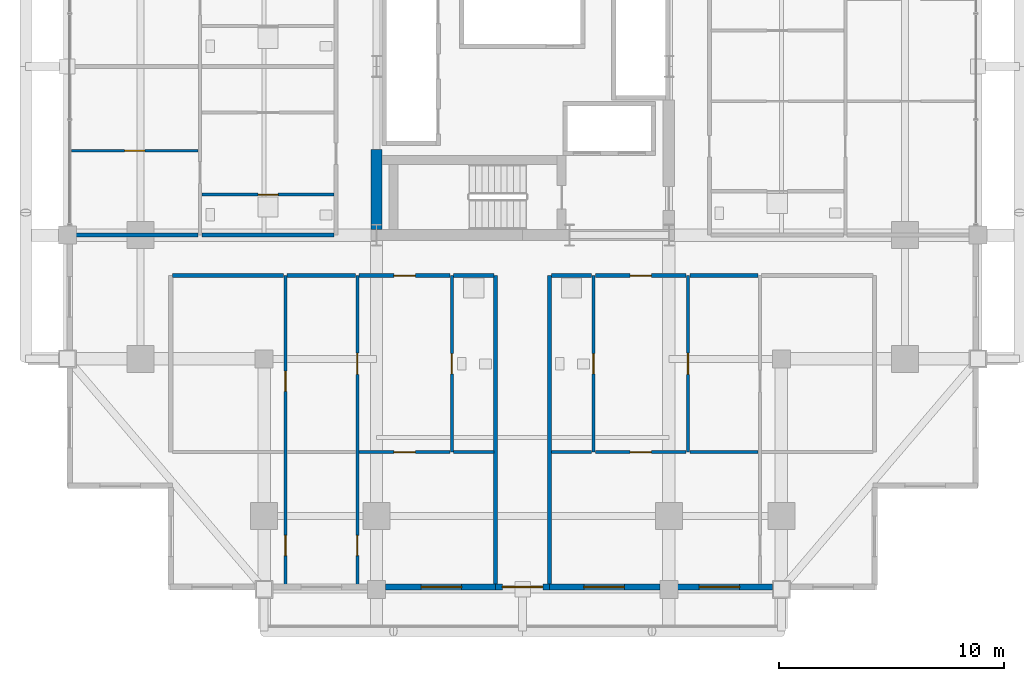
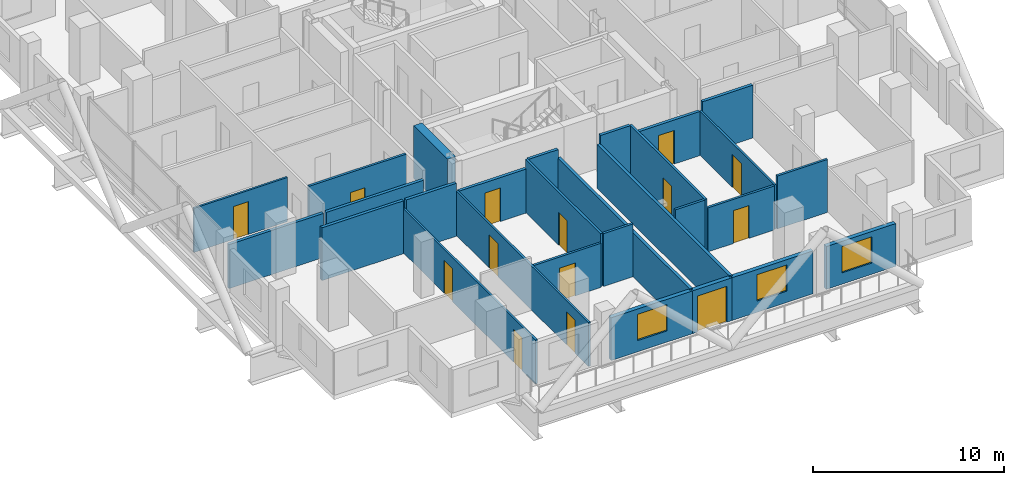
# One storey, part 14 of 21: 28 walls, 14 doors, 3 windows, 17 openings.
"""IFC4 building model written with IfcOpenShell, lengths in metres."""

import ifcopenshell
import ifcopenshell.guid

model = None  # the IFC model being written
_history = None  # IfcOwnerHistory: only IFC2X3 demands one
_inside = {}  # id of a spatial element -> (the spatial element, [elements in it])
_under = {}  # id of a project, library or spatial element -> (it, [spatial elements below it])
_declared = {}  # id of a project -> (the project, [libraries it declares])
_typed = {}  # id of a type object -> (the type object, [elements of that type])
_made_of = {}  # id of a material, layer set ... -> (it, [elements and type objects made of it])


def new_model(schema):
    """Start an empty IFC model of exactly this schema.

    Asked for "IFC4X3", IfcOpenShell would pick the latest addendum, in which some entities
    have other attributes; the version numbers below select the first issue.
    IFC2X3 requires an IfcOwnerHistory on every rooted entity: one is made here for all.
    """
    global model, _history
    if schema == "IFC4X3":
        model = ifcopenshell.file(schema_version=(4, 3, 0, 0))
    else:
        model = ifcopenshell.file(schema=schema)
    _inside.clear()
    _under.clear()
    _declared.clear()
    _typed.clear()
    _made_of.clear()
    _history = None
    if model.schema == "IFC2X3":
        org = make("IfcOrganization", Name="unknown")
        user = make(
            "IfcPersonAndOrganization",
            ThePerson=make("IfcPerson", FamilyName="unknown"),
            TheOrganization=org,
        )
        app = make(
            "IfcApplication",
            ApplicationDeveloper=org,
            Version="unknown",
            ApplicationFullName="unknown",
            ApplicationIdentifier="unknown",
        )
        _history = make(
            "IfcOwnerHistory",
            OwningUser=user,
            OwningApplication=app,
            ChangeAction="ADDED",
            CreationDate=0,
        )
    return model


def make(cls, **values):
    """One entity of the class cls with the attributes given. An attribute that is None is left unset."""
    return model.create_entity(
        cls, **{name: value for name, value in values.items() if value is not None}
    )


def rooted(cls, **values):
    """An entity with a GlobalId (a new one), such as an element, a storey or a relation."""
    return make(cls, GlobalId=ifcopenshell.guid.new(), OwnerHistory=_history, **values)


def si_unit(unit_type, name, prefix=None):
    """IfcSIUnit, for example si_unit("LENGTHUNIT", "METRE", prefix="MILLI")."""
    return make("IfcSIUnit", UnitType=unit_type, Prefix=prefix, Name=name)


def assignment(units):
    """IfcUnitAssignment: the units of a project."""
    return None if units is None else make("IfcUnitAssignment", Units=units)


def point(xyz):
    """IfcCartesianPoint."""
    return None if xyz is None else make("IfcCartesianPoint", Coordinates=xyz)


def direction(xyz):
    """IfcDirection."""
    return None if xyz is None else make("IfcDirection", DirectionRatios=xyz)


def frame(location, z_axis=None, x_axis=None):
    """IfcAxis2Placement3D, a coordinate frame: its origin and axes. An axis left out is left unset."""
    return make(
        "IfcAxis2Placement3D",
        Location=point(location),
        Axis=direction(z_axis),
        RefDirection=direction(x_axis),
    )


def frame_2d(location, x_axis=None):
    """IfcAxis2Placement2D, a coordinate frame in the plane: its origin and x axis."""
    return make(
        "IfcAxis2Placement2D", Location=point(location), RefDirection=direction(x_axis)
    )


def origin():
    """The frame at (0, 0, 0) with its axes left unset."""
    return frame((0.0, 0.0, 0.0))


def place(relative_to, where):
    """IfcLocalPlacement: puts the frame where relative to a parent placement (None: the world)."""
    return make(
        "IfcLocalPlacement", PlacementRelTo=relative_to, RelativePlacement=where
    )


def context(
    kind, dimensions, precision=None, world=None, true_north=None, identifier=None
):
    """IfcGeometricRepresentationContext, for example the 3D "Model" context."""
    return make(
        "IfcGeometricRepresentationContext",
        ContextIdentifier=identifier,
        ContextType=kind,
        CoordinateSpaceDimension=dimensions,
        Precision=precision,
        WorldCoordinateSystem=world,
        TrueNorth=true_north,
    )


def subcontext(parent, identifier, kind, view, scale=None):
    """IfcGeometricRepresentationSubContext, for example "Body" below "Model"."""
    return make(
        "IfcGeometricRepresentationSubContext",
        ContextIdentifier=identifier,
        ContextType=kind,
        ParentContext=parent,
        TargetScale=scale,
        TargetView=view,
    )


def project(units=None, contexts=None):
    """IfcProject with its units and contexts."""
    return rooted(
        "IfcProject",
        Name="project",
        RepresentationContexts=contexts,
        UnitsInContext=assignment(units),
    )


def spatial(cls, under=None, at=None, **own):
    """A site, building, storey or space (cls), placed at a placement, below another one or the project."""
    s = rooted(cls, ObjectPlacement=at, **own)
    if under is not None:
        _under.setdefault(under.id(), (under, []))[1].append(s)
    return s


def profile(cls, at=None, kind="AREA", **sizes):
    """A parametric profile (cls). Its sizes go by their IFC names, for example OverallWidth=200.0."""
    return make(cls, ProfileType=kind, Position=at, **sizes)


def rectangle(**sizes):
    """IfcRectangleProfileDef."""
    return profile("IfcRectangleProfileDef", **sizes)


def extrude(swept, where, along, depth):
    """IfcExtrudedAreaSolid: the profile swept, set in the frame where, extruded along a direction by depth."""
    return make(
        "IfcExtrudedAreaSolid",
        SweptArea=swept,
        Position=where,
        ExtrudedDirection=direction(along),
        Depth=depth,
    )


def shape(context_of_items, identifier, shape_type, items):
    """IfcShapeRepresentation: the items that make up one representation, for example the "Body"."""
    return make(
        "IfcShapeRepresentation",
        ContextOfItems=context_of_items,
        RepresentationIdentifier=identifier,
        RepresentationType=shape_type,
        Items=items,
    )


def material(Name=None, Category=None):
    """IfcMaterial."""
    return make("IfcMaterial", Name=Name, Category=Category)


def layer(
    of_material, thickness, ventilated=None, Name=None, Category=None, Priority=None
):
    """IfcMaterialLayer: one layer of a wall or slab, of a material (None: an air gap)."""
    return make(
        "IfcMaterialLayer",
        Material=of_material,
        LayerThickness=thickness,
        IsVentilated=ventilated,
        Name=Name,
        Category=Category,
        Priority=Priority,
    )


def layer_set(layers, Name=None):
    """IfcMaterialLayerSet."""
    return make("IfcMaterialLayerSet", MaterialLayers=layers, LayerSetName=Name)


def made_of(thing, what):
    """Note that an element or type object is made of a material, layer set ...; save() writes the relation."""
    if what is not None:
        _made_of.setdefault(what.id(), (what, []))[1].append(thing)
    return thing


def type_object(cls, material=None, **own):
    """A type object (cls), such as IfcWallType, which elements share."""
    return made_of(rooted(cls, **own), material)


def element(
    cls,
    number,
    at=None,
    inside=None,
    cuts=None,
    type_object=None,
    material=None,
    context=None,
    identifier="Body",
    shape_type=None,
    held_by="IfcProductDefinitionShape",
    body=None,
    shapes=None,
    **own,
):
    """One element of the class cls, such as IfcWall. Its Tag is "e" and its number.

    at: its placement. inside: the storey or other place that contains it. cuts: it is an
    opening in that element (IfcRelVoidsElement). A single representation is given by context,
    identifier, shape_type and body (its items); several are given by shapes. held_by: the class
    of the entity that holds the representations. save() writes the other relations.
    """
    e = rooted(cls, Tag="e%d" % number, ObjectPlacement=at, **own)
    if body is not None:
        shapes = [shape(context, identifier, shape_type, body)]
    if shapes is not None:
        e.Representation = make(held_by, Representations=shapes)
    if inside is not None:
        _inside.setdefault(inside.id(), (inside, []))[1].append(e)
    if cuts is not None:
        rooted(
            "IfcRelVoidsElement", RelatingBuildingElement=cuts, RelatedOpeningElement=e
        )
    if type_object is not None:
        _typed.setdefault(type_object.id(), (type_object, []))[1].append(e)
    return made_of(e, material)


def fill(opening, filler):
    """IfcRelFillsElement: the door or window that sits in an opening."""
    return rooted(
        "IfcRelFillsElement",
        RelatingOpeningElement=opening,
        RelatedBuildingElement=filler,
    )


def aggregate(whole, parts):
    """IfcRelAggregates: a whole, such as a stair, and the parts it consists of."""
    return rooted("IfcRelAggregates", RelatingObject=whole, RelatedObjects=parts)


def save(model, path):
    """Write the relations noted so far, then the file.

    IfcRelAggregates (storeys below a building ...), IfcRelContainedInSpatialStructure (elements
    in a storey), IfcRelDefinesByType, IfcRelAssociatesMaterial and IfcRelDeclares: one each for
    every whole, place, type object, material and project.
    """
    for whole, parts in _under.values():
        aggregate(whole, parts)
    for where, things in _inside.values():
        rooted(
            "IfcRelContainedInSpatialStructure",
            RelatedElements=things,
            RelatingStructure=where,
        )
    for kind, things in _typed.values():
        rooted("IfcRelDefinesByType", RelatedObjects=things, RelatingType=kind)
    for what, things in _made_of.values():
        rooted("IfcRelAssociatesMaterial", RelatedObjects=things, RelatingMaterial=what)
    for by, libraries in _declared.values():
        rooted("IfcRelDeclares", RelatingContext=by, RelatedDefinitions=libraries)
    model.write(path)


model = new_model("IFC4")

# Units and contexts
model_context = context("Model", 3, precision=1e-05, world=origin(), true_north=direction((0.0, 1.0)))
body_context = subcontext(model_context, "Body", "Model", "MODEL_VIEW")
ifc_project = project(units=[si_unit("LENGTHUNIT", "METRE"), si_unit("AREAUNIT", "SQUARE_METRE"), si_unit("VOLUMEUNIT", "CUBIC_METRE"), si_unit("PLANEANGLEUNIT", "RADIAN"), si_unit("MASSUNIT", "GRAM", prefix="KILO")], contexts=[model_context])

# Site, building, storey
site_placement = place(None, origin())
site = spatial("IfcSite", under=ifc_project, at=site_placement, CompositionType="ELEMENT")
building_placement = place(site_placement, origin())
building = spatial("IfcBuilding", under=site, at=building_placement, Name="Barlavira Tower and Art Museum", CompositionType="ELEMENT")
storey_placement = place(building_placement, frame((0.0, 0.0, 99.0)))
storey = spatial("IfcBuildingStorey", under=building, at=storey_placement, Name="L24", CompositionType="ELEMENT", Elevation=99.0)

# Wall, openings, doors
ifc_material_1 = material(Name="Gypsum acoustic stud partition", Category="gypsum")
ifc_layer_1 = layer(ifc_material_1, 0.1201171875, Name="Gypsum acoustic stud partition")
ifc_layer_set_1 = layer_set([ifc_layer_1], Name="Gypsum acoustic stud partition")
wall_type_1 = type_object("IfcWallType", Name="Apartment Internal Acoustic Partition 120", PredefinedType="PARTITIONING", material=ifc_layer_set_1)
wall_1_placement = place(storey_placement, frame((-10.550048828125, -23.14990234375, 0.0), z_axis=(0.0, 0.0, 1.0), x_axis=(0.0, 1.0, 0.0)))
wall_1 = element("IfcWall", 1, at=wall_1_placement, inside=storey, type_object=wall_type_1, Name="L24 Partition Wall 4", PredefinedType="PARTITIONING", context=body_context, shape_type="SweptSolid", body=[
    extrude(rectangle(XDim=13.849853515625, YDim=0.1201171875, at=frame_2d((6.9248046875, 0.0))), origin(), (0.0, 0.0, 1.0), 2.81591796875),
])
opening_1_placement = place(wall_1_placement, frame((8.70068359375, 0.0, 0.0)))
opening_1 = element("IfcOpeningElement", 2, at=opening_1_placement, cuts=wall_1, Name="Opening D-01", PredefinedType="OPENING", context=body_context, shape_type="SweptSolid", body=[
    extrude(rectangle(XDim=0.89990234375, YDim=2.10009765625, at=frame_2d((0.449951171875, 1.050048828125))), frame((0.0, 0.070068359375, 0.0), z_axis=(0.0, -1.0, 0.0), x_axis=(1.0, 0.0, 0.0)), (0.0, 0.0, 1.0), 0.14013671875),
])
opening_2_placement = place(wall_1_placement, frame((1.39892578125, 0.0, 0.0)))
opening_2 = element("IfcOpeningElement", 3, at=opening_2_placement, cuts=wall_1, Name="Opening D-01", PredefinedType="OPENING", context=body_context, shape_type="SweptSolid", body=[
    extrude(rectangle(XDim=0.89990234375, YDim=2.10009765625, at=frame_2d((0.449951171875, 1.050048828125))), frame((0.0, 0.070068359375, 0.0), z_axis=(0.0, -1.0, 0.0), x_axis=(1.0, 0.0, 0.0)), (0.0, 0.0, 1.0), 0.14013671875),
])
ifc_material_2 = material(Name="Engineered coastal hardwood", Category="wood")
door_type_1 = type_object("IfcDoorType", Name="Internal Bedroom Timber Flush Door 900x2100", OperationType="NOTDEFINED", PredefinedType="DOOR", material=ifc_material_2)
door_1_placement = place(opening_1_placement, origin())
door_1 = element("IfcDoor", 4, at=door_1_placement, inside=storey, type_object=door_type_1, Name="Apartment SW1 Walk-In Dressing Room Door", OperationType="SINGLE_SWING_RIGHT", OverallHeight=2.10009765625, OverallWidth=0.89990234375, PredefinedType="DOOR", context=body_context, shape_type="SweptSolid", body=[
    extrude(rectangle(XDim=0.89990234375, YDim=2.10009765625, at=frame_2d((0.449951171875, 1.050048828125))), frame((0.0, 0.02490234375, 0.0), z_axis=(0.0, -1.0, 0.0), x_axis=(1.0, 0.0, 0.0)), (0.0, 0.0, 1.0), 0.050048828125),
])
fill(opening_1, door_1)
door_2_placement = place(opening_2_placement, origin())
door_2 = element("IfcDoor", 5, at=door_2_placement, inside=storey, type_object=door_type_1, Name="Apartment SW1 Bedroom 2 Door", OperationType="SINGLE_SWING_LEFT", OverallHeight=2.10009765625, OverallWidth=0.89990234375, PredefinedType="DOOR", context=body_context, shape_type="SweptSolid", body=[
    extrude(rectangle(XDim=0.89990234375, YDim=2.10009765625, at=frame_2d((0.449951171875, 1.050048828125))), frame((0.0, 0.02490234375, 0.0), z_axis=(0.0, -1.0, 0.0), x_axis=(1.0, 0.0, 0.0)), (0.0, 0.0, 1.0), 0.050048828125),
])
fill(opening_2, door_2)

wall_2_placement = place(storey_placement, frame((-7.35009765625, -23.14990234375, 0.0), z_axis=(0.0, 0.0, 1.0), x_axis=(0.0, 1.0, 0.0)))
wall_2 = element("IfcWall", 6, at=wall_2_placement, inside=storey, type_object=wall_type_1, Name="L24 Partition Wall 7", PredefinedType="PARTITIONING", context=body_context, shape_type="SweptSolid", body=[
    extrude(rectangle(XDim=13.849853515625, YDim=0.1201171875, at=frame_2d((6.9248046875, 0.0))), origin(), (0.0, 0.0, 1.0), 2.81591796875),
])
opening_3_placement = place(wall_2_placement, frame((9.455078125, 0.0, 0.0)))
opening_3 = element("IfcOpeningElement", 7, at=opening_3_placement, cuts=wall_2, Name="Opening D-02", PredefinedType="OPENING", context=body_context, shape_type="SweptSolid", body=[
    extrude(rectangle(XDim=0.949951171875, YDim=2.10009765625, at=frame_2d((0.47509765625, 1.050048828125))), frame((0.0, 0.070068359375, 0.0), z_axis=(0.0, -1.0, 0.0), x_axis=(1.0, 0.0, 0.0)), (0.0, 0.0, 1.0), 0.14013671875),
])
opening_4_placement = place(wall_2_placement, frame((1.39892578125, 0.0, 0.0)))
opening_4 = element("IfcOpeningElement", 8, at=opening_4_placement, cuts=wall_2, Name="Opening D-01", PredefinedType="OPENING", context=body_context, shape_type="SweptSolid", body=[
    extrude(rectangle(XDim=0.89990234375, YDim=2.10009765625, at=frame_2d((0.449951171875, 1.050048828125))), frame((0.0, 0.070068359375, 0.0), z_axis=(0.0, -1.0, 0.0), x_axis=(1.0, 0.0, 0.0)), (0.0, 0.0, 1.0), 0.14013671875),
])
door_3_placement = place(opening_4_placement, origin())
door_3 = element("IfcDoor", 9, at=door_3_placement, inside=storey, type_object=door_type_1, Name="Apartment SW1 Bedroom 1 Door", OperationType="SINGLE_SWING_RIGHT", OverallHeight=2.10009765625, OverallWidth=0.89990234375, PredefinedType="DOOR", context=body_context, shape_type="SweptSolid", body=[
    extrude(rectangle(XDim=0.89990234375, YDim=2.10009765625, at=frame_2d((0.449951171875, 1.050048828125))), frame((0.0, 0.02490234375, 0.0), z_axis=(0.0, -1.0, 0.0), x_axis=(1.0, 0.0, 0.0)), (0.0, 0.0, 1.0), 0.050048828125),
])
fill(opening_4, door_3)
door_type_2 = type_object("IfcDoorType", Name="Living and Salon Glazed-Leaf Door 950x2100", OperationType="NOTDEFINED", PredefinedType="DOOR", material=ifc_material_2)
door_4_placement = place(opening_3_placement, origin())
door_4 = element("IfcDoor", 10, at=door_4_placement, inside=storey, type_object=door_type_2, Name="Apartment SW1 Kitchen Door", OperationType="SINGLE_SWING_LEFT", OverallHeight=2.10009765625, OverallWidth=0.949951171875, PredefinedType="DOOR", context=body_context, shape_type="SweptSolid", body=[
    extrude(rectangle(XDim=0.949951171875, YDim=2.10009765625, at=frame_2d((0.47509765625, 1.050048828125))), frame((0.0, 0.02490234375, 0.0), z_axis=(0.0, -1.0, 0.0), x_axis=(1.0, 0.0, 0.0)), (0.0, 0.0, 1.0), 0.050048828125),
])
fill(opening_3, door_4)

# Wall, opening, door
wall_3_placement = place(storey_placement, frame((7.35009765625, -17.14990234375, 0.0), z_axis=(0.0, 0.0, 1.0), x_axis=(0.0, 1.0, 0.0)))
wall_3 = element("IfcWall", 11, at=wall_3_placement, inside=storey, type_object=wall_type_1, Name="L24 Partition Wall 18", PredefinedType="PARTITIONING", context=body_context, shape_type="SweptSolid", body=[
    extrude(rectangle(XDim=7.849853515625, YDim=0.1201171875, at=frame_2d((3.9248046875, 0.0))), origin(), (0.0, 0.0, 1.0), 2.81591796875),
])
opening_5_placement = place(wall_3_placement, frame((3.455078125, 0.0, 0.0)))
opening_5 = element("IfcOpeningElement", 12, at=opening_5_placement, cuts=wall_3, Name="Opening D-02", PredefinedType="OPENING", context=body_context, shape_type="SweptSolid", body=[
    extrude(rectangle(XDim=0.949951171875, YDim=2.10009765625, at=frame_2d((0.47509765625, 1.050048828125))), frame((0.0, 0.070068359375, 0.0), z_axis=(0.0, -1.0, 0.0), x_axis=(1.0, 0.0, 0.0)), (0.0, 0.0, 1.0), 0.14013671875),
])
door_5_placement = place(opening_5_placement, origin())
door_5 = element("IfcDoor", 13, at=door_5_placement, inside=storey, type_object=door_type_2, Name="Apartment SE1 Kitchen Door", OperationType="SINGLE_SWING_RIGHT", OverallHeight=2.10009765625, OverallWidth=0.949951171875, PredefinedType="DOOR", context=body_context, shape_type="SweptSolid", body=[
    extrude(rectangle(XDim=0.949951171875, YDim=2.10009765625, at=frame_2d((0.47509765625, 1.050048828125))), frame((0.0, 0.02490234375, 0.0), z_axis=(0.0, -1.0, 0.0), x_axis=(1.0, 0.0, 0.0)), (0.0, 0.0, 1.0), 0.050048828125),
])
fill(opening_5, door_5)

wall_4_placement = place(storey_placement, frame((-20.070068359375, -3.75, 0.0), z_axis=(0.0, 0.0, 1.0), x_axis=(1.0, 0.0, 0.0)))
wall_4 = element("IfcWall", 14, at=wall_4_placement, inside=storey, type_object=wall_type_1, Name="L24 Partition Wall 48", PredefinedType="PARTITIONING", context=body_context, shape_type="SweptSolid", body=[
    extrude(rectangle(XDim=5.64013671875, YDim=0.1201171875, at=frame_2d((2.820068359375, 0.0))), origin(), (0.0, 0.0, 1.0), 2.81591796875),
])
opening_6_placement = place(wall_4_placement, frame((2.3701171875, 0.0, 0.0)))
opening_6 = element("IfcOpeningElement", 15, at=opening_6_placement, cuts=wall_4, Name="Opening D-01", PredefinedType="OPENING", context=body_context, shape_type="SweptSolid", body=[
    extrude(rectangle(XDim=0.89990234375, YDim=2.10009765625, at=frame_2d((0.449951171875, 1.050048828125))), frame((0.0, 0.070068359375, 0.0), z_axis=(0.0, -1.0, 0.0), x_axis=(1.0, 0.0, 0.0)), (0.0, 0.0, 1.0), 0.14013671875),
])
door_6_placement = place(opening_6_placement, origin())
door_6 = element("IfcDoor", 16, at=door_6_placement, inside=storey, type_object=door_type_1, Name="Apartment W1 Bedroom 1 Door", OperationType="SINGLE_SWING_LEFT", OverallHeight=2.10009765625, OverallWidth=0.89990234375, PredefinedType="DOOR", context=body_context, shape_type="SweptSolid", body=[
    extrude(rectangle(XDim=0.89990234375, YDim=2.10009765625, at=frame_2d((0.449951171875, 1.050048828125))), frame((0.0, 0.02490234375, 0.0), z_axis=(0.0, -1.0, 0.0), x_axis=(1.0, 0.0, 0.0)), (0.0, 0.0, 1.0), 0.050048828125),
])
fill(opening_6, door_6)

# Walls
ifc_material_3 = material(Name="Concrete C60", Category="concrete")
ifc_layer_2 = layer(ifc_material_3, 0.5, Name="Concrete C60")
ifc_layer_set_2 = layer_set([ifc_layer_2], Name="Concrete C60")
wall_type_2 = type_object("IfcWallType", Name="Core Structural Shear Wall 500 Concrete C60", PredefinedType="SHEAR", material=ifc_layer_set_2)
wall_5_placement = place(storey_placement, frame((-6.5, -7.25, 0.0), z_axis=(0.0, 0.0, 1.0), x_axis=(0.0, 1.0, 0.0)))
element("IfcWall", 17, at=wall_5_placement, inside=storey, type_object=wall_type_2, Name="L24 Core Shear Wall CS-W1", PredefinedType="SHEAR", context=body_context, shape_type="SweptSolid", body=[
    extrude(rectangle(XDim=3.550048828125, YDim=0.5, at=frame_2d((1.77490234375, 0.0))), origin(), (0.0, 0.0, 1.0), 3.3798828125),
])
ifc_layer_3 = layer(ifc_material_1, 0.179931640625, Name="Gypsum acoustic stud partition")
ifc_layer_set_3 = layer_set([ifc_layer_3], Name="Gypsum acoustic stud partition")
wall_type_3 = type_object("IfcWallType", Name="Inter-Tenancy Party Partition Wall 180", PredefinedType="PARTITIONING", material=ifc_layer_set_3)
for number, where, z_axis, x_axis, name in (
    (18, (-1.199951171875, -23.14990234375, 0.0), (0.0, 0.0, 1.0), (0.0, 1.0, 0.0), "L24 Partition Wall 11"),
    (19, (1.199951171875, -23.14990234375, 0.0), (0.0, 0.0, 1.0), (0.0, 1.0, 0.0), "L24 Partition Wall 13"),
):
    element("IfcWall", number, at=place(storey_placement, frame(where, z_axis=z_axis, x_axis=x_axis)), inside=storey, type_object=wall_type_3, Name=name, PredefinedType="PARTITIONING", context=body_context, shape_type="SweptSolid", body=[
        extrude(rectangle(XDim=13.849853515625, YDim=0.179931640625, at=frame_2d((6.9248046875, 0.0))), origin(), (0.0, 0.0, 1.0), 2.81591796875),
    ])
wall_6_placement = place(storey_placement, frame((-15.570068359375, -9.300048828125, 0.0), z_axis=(0.0, 0.0, 1.0), x_axis=(1.0, 0.0, 0.0)))
element("IfcWall", 20, at=wall_6_placement, inside=storey, type_object=wall_type_3, Name="L24 Partition Wall 34", PredefinedType="PARTITIONING", context=body_context, shape_type="SweptSolid", body=[
    extrude(rectangle(XDim=4.940185546875, YDim=0.179931640625, at=frame_2d((2.47021484375, 0.0))), origin(), (0.0, 0.0, 1.0), 3.3798828125),
])
wall_7_placement = place(storey_placement, frame((-10.469970703125, -9.300048828125, 0.0), z_axis=(0.0, 0.0, 1.0), x_axis=(1.0, 0.0, 0.0)))
element("IfcWall", 21, at=wall_7_placement, inside=storey, type_object=wall_type_3, Name="L24 Partition Wall 35", PredefinedType="PARTITIONING", context=body_context, shape_type="SweptSolid", body=[
    extrude(rectangle(XDim=3.0400390625, YDim=0.179931640625, at=frame_2d((1.52001953125, 0.0))), origin(), (0.0, 0.0, 1.0), 3.3798828125),
])

# Wall, opening, door
wall_8_placement = place(storey_placement, frame((-7.27001953125, -9.300048828125, 0.0), z_axis=(0.0, 0.0, 1.0), x_axis=(1.0, 0.0, 0.0)))
wall_8 = element("IfcWall", 22, at=wall_8_placement, inside=storey, type_object=wall_type_3, Name="L24 Partition Wall 36", PredefinedType="PARTITIONING", context=body_context, shape_type="SweptSolid", body=[
    extrude(rectangle(XDim=4.0400390625, YDim=0.179931640625, at=frame_2d((2.02001953125, 0.0))), origin(), (0.0, 0.0, 1.0), 2.81591796875),
])
opening_7_placement = place(wall_8_placement, frame((1.544921875, 0.0, 0.0)))
opening_7 = element("IfcOpeningElement", 23, at=opening_7_placement, cuts=wall_8, Name="Opening FD-60", PredefinedType="OPENING", context=body_context, shape_type="SweptSolid", body=[
    extrude(rectangle(XDim=0.949951171875, YDim=2.14990234375, at=frame_2d((0.47509765625, 1.074951171875))), frame((0.0, 0.10009765625, 0.0), z_axis=(0.0, -1.0, 0.0), x_axis=(1.0, 0.0, 0.0)), (0.0, 0.0, 1.0), 0.199951171875),
])
ifc_material_4 = material(Name="Brushed stainless steel", Category="steel")
door_type_3 = type_object("IfcDoorType", Name="Apartment Entrance and Riser Fire Door 950x2150 FD60S", OperationType="NOTDEFINED", PredefinedType="DOOR", material=ifc_material_4)
door_7_placement = place(opening_7_placement, origin())
door_7 = element("IfcDoor", 24, at=door_7_placement, inside=storey, type_object=door_type_3, Name="Apartment Entrance Hall SW1 Door", OperationType="SINGLE_SWING_RIGHT", OverallHeight=2.14990234375, OverallWidth=0.949951171875, PredefinedType="DOOR", context=body_context, shape_type="SweptSolid", body=[
    extrude(rectangle(XDim=0.949951171875, YDim=2.14990234375, at=frame_2d((0.47509765625, 1.074951171875))), frame((0.0, 0.02490234375, 0.0), z_axis=(0.0, -1.0, 0.0), x_axis=(1.0, 0.0, 0.0)), (0.0, 0.0, 1.0), 0.050048828125),
])
fill(opening_7, door_7)

# Walls
for number, where, z_axis, x_axis, name in (
    (25, (-3.070068359375, -9.300048828125, 0.0), (0.0, 0.0, 1.0), (1.0, 0.0, 0.0), "L24 Partition Wall 37"),
    (26, (1.280029296875, -9.300048828125, 0.0), (0.0, 0.0, 1.0), (1.0, 0.0, 0.0), "L24 Partition Wall 38"),
):
    element("IfcWall", number, at=place(storey_placement, frame(where, z_axis=z_axis, x_axis=x_axis)), inside=storey, type_object=wall_type_3, Name=name, PredefinedType="PARTITIONING", context=body_context, shape_type="SweptSolid", body=[
        extrude(rectangle(XDim=1.7900390625, YDim=0.179931640625, at=frame_2d((0.89501953125, 0.0))), origin(), (0.0, 0.0, 1.0), 3.3798828125),
    ])

# Wall, opening, door
wall_9_placement = place(storey_placement, frame((3.22998046875, -9.300048828125, 0.0), z_axis=(0.0, 0.0, 1.0), x_axis=(1.0, 0.0, 0.0)))
wall_9 = element("IfcWall", 27, at=wall_9_placement, inside=storey, type_object=wall_type_3, Name="L24 Partition Wall 39", PredefinedType="PARTITIONING", context=body_context, shape_type="SweptSolid", body=[
    extrude(rectangle(XDim=4.0400390625, YDim=0.179931640625, at=frame_2d((2.02001953125, 0.0))), origin(), (0.0, 0.0, 1.0), 2.81591796875),
])
opening_8_placement = place(wall_9_placement, frame((1.544921875, 0.0, 0.0)))
opening_8 = element("IfcOpeningElement", 28, at=opening_8_placement, cuts=wall_9, Name="Opening FD-60", PredefinedType="OPENING", context=body_context, shape_type="SweptSolid", body=[
    extrude(rectangle(XDim=0.949951171875, YDim=2.14990234375, at=frame_2d((0.47509765625, 1.074951171875))), frame((0.0, 0.10009765625, 0.0), z_axis=(0.0, -1.0, 0.0), x_axis=(1.0, 0.0, 0.0)), (0.0, 0.0, 1.0), 0.199951171875),
])
door_8_placement = place(opening_8_placement, origin())
door_8 = element("IfcDoor", 29, at=door_8_placement, inside=storey, type_object=door_type_3, Name="Apartment Entrance Hall SE1 Door", OperationType="SINGLE_SWING_LEFT", OverallHeight=2.14990234375, OverallWidth=0.949951171875, PredefinedType="DOOR", context=body_context, shape_type="SweptSolid", body=[
    extrude(rectangle(XDim=0.949951171875, YDim=2.14990234375, at=frame_2d((0.47509765625, 1.074951171875))), frame((0.0, 0.02490234375, 0.0), z_axis=(0.0, -1.0, 0.0), x_axis=(1.0, 0.0, 0.0)), (0.0, 0.0, 1.0), 0.050048828125),
])
fill(opening_8, door_8)

# Walls
wall_10_placement = place(storey_placement, frame((7.429931640625, -9.300048828125, 0.0), z_axis=(0.0, 0.0, 1.0), x_axis=(1.0, 0.0, 0.0)))
element("IfcWall", 30, at=wall_10_placement, inside=storey, type_object=wall_type_3, Name="L24 Partition Wall 40", PredefinedType="PARTITIONING", context=body_context, shape_type="SweptSolid", body=[
    extrude(rectangle(XDim=3.0400390625, YDim=0.179931640625, at=frame_2d((1.52001953125, 0.0))), origin(), (0.0, 0.0, 1.0), 3.3798828125),
])
wall_11_placement = place(storey_placement, frame((-20.14990234375, -7.5, 0.0), z_axis=(0.0, 0.0, 1.0), x_axis=(1.0, 0.0, 0.0)))
element("IfcWall", 31, at=wall_11_placement, inside=storey, type_object=wall_type_3, Name="L24 Partition Wall 42", PredefinedType="PARTITIONING", context=body_context, shape_type="SweptSolid", body=[
    extrude(rectangle(XDim=5.719970703125, YDim=0.179931640625, at=frame_2d((2.85986328125, 0.0))), origin(), (0.0, 0.0, 1.0), 2.81591796875),
])
wall_12_placement = place(storey_placement, frame((-14.27001953125, -7.5, 0.0), z_axis=(0.0, 0.0, 1.0), x_axis=(1.0, 0.0, 0.0)))
element("IfcWall", 32, at=wall_12_placement, inside=storey, type_object=wall_type_3, Name="L24 Partition Wall 43", PredefinedType="PARTITIONING", context=body_context, shape_type="SweptSolid", body=[
    extrude(rectangle(XDim=5.89013671875, YDim=0.179931640625, at=frame_2d((2.945068359375, 0.0))), origin(), (0.0, 0.0, 1.0), 2.81591796875),
])

# Wall, opening, door
ifc_layer_4 = layer(ifc_material_1, 0.139892578125, Name="Gypsum acoustic stud partition")
ifc_layer_set_4 = layer_set([ifc_layer_4], Name="Gypsum acoustic stud partition")
wall_type_4 = type_object("IfcWallType", Name="Moisture-Resistant Bathroom Partition 140", PredefinedType="PARTITIONING", material=ifc_layer_set_4)
wall_13_placement = place(storey_placement, frame((-3.14990234375, -17.14990234375, 0.0), z_axis=(0.0, 0.0, 1.0), x_axis=(0.0, 1.0, 0.0)))
wall_13 = element("IfcWall", 33, at=wall_13_placement, inside=storey, type_object=wall_type_4, Name="L24 Partition Wall 9", PredefinedType="PARTITIONING", context=body_context, shape_type="SweptSolid", body=[
    extrude(rectangle(XDim=7.849853515625, YDim=0.139892578125, at=frame_2d((3.9248046875, 0.0))), origin(), (0.0, 0.0, 1.0), 3.3798828125),
])
opening_9_placement = place(wall_13_placement, frame((3.47998046875, 0.0, 0.0)))
opening_9 = element("IfcOpeningElement", 34, at=opening_9_placement, cuts=wall_13, Name="Opening D-WC", PredefinedType="OPENING", context=body_context, shape_type="SweptSolid", body=[
    extrude(rectangle(XDim=0.89990234375, YDim=2.10009765625, at=frame_2d((0.449951171875, 1.050048828125))), frame((0.0, 0.080078125, 0.0), z_axis=(0.0, -1.0, 0.0), x_axis=(1.0, 0.0, 0.0)), (0.0, 0.0, 1.0), 0.159912109375),
])
door_type_4 = type_object("IfcDoorType", Name="Accessible Bathroom Flush Door 900x2100", OperationType="NOTDEFINED", PredefinedType="DOOR", material=ifc_material_2)
door_9_placement = place(opening_9_placement, origin())
door_9 = element("IfcDoor", 35, at=door_9_placement, inside=storey, type_object=door_type_4, Name="Apartment SW1 Hall Bathroom Door", OperationType="SINGLE_SWING_LEFT", OverallHeight=2.10009765625, OverallWidth=0.89990234375, PredefinedType="DOOR", context=body_context, shape_type="SweptSolid", body=[
    extrude(rectangle(XDim=0.89990234375, YDim=2.10009765625, at=frame_2d((0.449951171875, 1.050048828125))), frame((0.0, 0.02490234375, 0.0), z_axis=(0.0, -1.0, 0.0), x_axis=(1.0, 0.0, 0.0)), (0.0, 0.0, 1.0), 0.050048828125),
])
fill(opening_9, door_9)

wall_14_placement = place(storey_placement, frame((3.14990234375, -17.14990234375, 0.0), z_axis=(0.0, 0.0, 1.0), x_axis=(0.0, 1.0, 0.0)))
wall_14 = element("IfcWall", 36, at=wall_14_placement, inside=storey, type_object=wall_type_4, Name="L24 Partition Wall 15", PredefinedType="PARTITIONING", context=body_context, shape_type="SweptSolid", body=[
    extrude(rectangle(XDim=7.849853515625, YDim=0.139892578125, at=frame_2d((3.9248046875, 0.0))), origin(), (0.0, 0.0, 1.0), 3.3798828125),
])
opening_10_placement = place(wall_14_placement, frame((3.47998046875, 0.0, 0.0)))
opening_10 = element("IfcOpeningElement", 37, at=opening_10_placement, cuts=wall_14, Name="Opening D-WC", PredefinedType="OPENING", context=body_context, shape_type="SweptSolid", body=[
    extrude(rectangle(XDim=0.89990234375, YDim=2.10009765625, at=frame_2d((0.449951171875, 1.050048828125))), frame((0.0, 0.080078125, 0.0), z_axis=(0.0, -1.0, 0.0), x_axis=(1.0, 0.0, 0.0)), (0.0, 0.0, 1.0), 0.159912109375),
])
door_10_placement = place(opening_10_placement, origin())
door_10 = element("IfcDoor", 38, at=door_10_placement, inside=storey, type_object=door_type_4, Name="Apartment SE1 Hall Bathroom Door", OperationType="SINGLE_SWING_RIGHT", OverallHeight=2.10009765625, OverallWidth=0.89990234375, PredefinedType="DOOR", context=body_context, shape_type="SweptSolid", body=[
    extrude(rectangle(XDim=0.89990234375, YDim=2.10009765625, at=frame_2d((0.449951171875, 1.050048828125))), frame((0.0, 0.02490234375, 0.0), z_axis=(0.0, -1.0, 0.0), x_axis=(1.0, 0.0, 0.0)), (0.0, 0.0, 1.0), 0.050048828125),
])
fill(opening_10, door_10)

wall_15_placement = place(storey_placement, frame((-7.27001953125, -17.14990234375, 0.0), z_axis=(0.0, 0.0, 1.0), x_axis=(1.0, 0.0, 0.0)))
wall_15 = element("IfcWall", 39, at=wall_15_placement, inside=storey, type_object=wall_type_4, Name="L24 Partition Wall 28", PredefinedType="PARTITIONING", context=body_context, shape_type="SweptSolid", body=[
    extrude(rectangle(XDim=4.0400390625, YDim=0.139892578125, at=frame_2d((2.02001953125, 0.0))), origin(), (0.0, 0.0, 1.0), 2.81591796875),
])
opening_11_placement = place(wall_15_placement, frame((1.544921875, 0.0, 0.0)))
opening_11 = element("IfcOpeningElement", 40, at=opening_11_placement, cuts=wall_15, Name="Opening D-02", PredefinedType="OPENING", context=body_context, shape_type="SweptSolid", body=[
    extrude(rectangle(XDim=0.949951171875, YDim=2.10009765625, at=frame_2d((0.47509765625, 1.050048828125))), frame((0.0, 0.080078125, 0.0), z_axis=(0.0, -1.0, 0.0), x_axis=(1.0, 0.0, 0.0)), (0.0, 0.0, 1.0), 0.159912109375),
])
door_11_placement = place(opening_11_placement, origin())
door_11 = element("IfcDoor", 41, at=door_11_placement, inside=storey, type_object=door_type_2, Name="Apartment SW1 Living Lounge Door", OperationType="SINGLE_SWING_LEFT", OverallHeight=2.10009765625, OverallWidth=0.949951171875, PredefinedType="DOOR", context=body_context, shape_type="SweptSolid", body=[
    extrude(rectangle(XDim=0.949951171875, YDim=2.10009765625, at=frame_2d((0.47509765625, 1.050048828125))), frame((0.0, 0.02490234375, 0.0), z_axis=(0.0, -1.0, 0.0), x_axis=(1.0, 0.0, 0.0)), (0.0, 0.0, 1.0), 0.050048828125),
])
fill(opening_11, door_11)

# Walls
for number, where, z_axis, x_axis, name in (
    (42, (-3.070068359375, -17.14990234375, 0.0), (0.0, 0.0, 1.0), (1.0, 0.0, 0.0), "L24 Partition Wall 29"),
    (43, (1.280029296875, -17.14990234375, 0.0), (0.0, 0.0, 1.0), (1.0, 0.0, 0.0), "L24 Partition Wall 30"),
):
    element("IfcWall", number, at=place(storey_placement, frame(where, z_axis=z_axis, x_axis=x_axis)), inside=storey, type_object=wall_type_4, Name=name, PredefinedType="PARTITIONING", context=body_context, shape_type="SweptSolid", body=[
        extrude(rectangle(XDim=1.7900390625, YDim=0.139892578125, at=frame_2d((0.89501953125, 0.0))), origin(), (0.0, 0.0, 1.0), 3.3798828125),
    ])

# Wall, opening, door
wall_16_placement = place(storey_placement, frame((3.22998046875, -17.14990234375, 0.0), z_axis=(0.0, 0.0, 1.0), x_axis=(1.0, 0.0, 0.0)))
wall_16 = element("IfcWall", 44, at=wall_16_placement, inside=storey, type_object=wall_type_4, Name="L24 Partition Wall 31", PredefinedType="PARTITIONING", context=body_context, shape_type="SweptSolid", body=[
    extrude(rectangle(XDim=4.0400390625, YDim=0.139892578125, at=frame_2d((2.02001953125, 0.0))), origin(), (0.0, 0.0, 1.0), 2.81591796875),
])
opening_12_placement = place(wall_16_placement, frame((1.544921875, 0.0, 0.0)))
opening_12 = element("IfcOpeningElement", 45, at=opening_12_placement, cuts=wall_16, Name="Opening D-02", PredefinedType="OPENING", context=body_context, shape_type="SweptSolid", body=[
    extrude(rectangle(XDim=0.949951171875, YDim=2.10009765625, at=frame_2d((0.47509765625, 1.050048828125))), frame((0.0, 0.080078125, 0.0), z_axis=(0.0, -1.0, 0.0), x_axis=(1.0, 0.0, 0.0)), (0.0, 0.0, 1.0), 0.159912109375),
])
door_12_placement = place(opening_12_placement, origin())
door_12 = element("IfcDoor", 46, at=door_12_placement, inside=storey, type_object=door_type_2, Name="Apartment SE1 Living Lounge Door", OperationType="SINGLE_SWING_RIGHT", OverallHeight=2.10009765625, OverallWidth=0.949951171875, PredefinedType="DOOR", context=body_context, shape_type="SweptSolid", body=[
    extrude(rectangle(XDim=0.949951171875, YDim=2.10009765625, at=frame_2d((0.47509765625, 1.050048828125))), frame((0.0, 0.02490234375, 0.0), z_axis=(0.0, -1.0, 0.0), x_axis=(1.0, 0.0, 0.0)), (0.0, 0.0, 1.0), 0.050048828125),
])
fill(opening_12, door_12)

# Wall
wall_17_placement = place(storey_placement, frame((7.429931640625, -17.14990234375, 0.0), z_axis=(0.0, 0.0, 1.0), x_axis=(1.0, 0.0, 0.0)))
element("IfcWall", 47, at=wall_17_placement, inside=storey, type_object=wall_type_4, Name="L24 Partition Wall 32", PredefinedType="PARTITIONING", context=body_context, shape_type="SweptSolid", body=[
    extrude(rectangle(XDim=3.0400390625, YDim=0.139892578125, at=frame_2d((1.52001953125, 0.0))), origin(), (0.0, 0.0, 1.0), 3.3798828125),
])

# Wall, opening, door
wall_18_placement = place(storey_placement, frame((-14.27001953125, -5.699951171875, 0.0), z_axis=(0.0, 0.0, 1.0), x_axis=(1.0, 0.0, 0.0)))
wall_18 = element("IfcWall", 48, at=wall_18_placement, inside=storey, type_object=wall_type_4, Name="L24 Partition Wall 46", PredefinedType="PARTITIONING", context=body_context, shape_type="SweptSolid", body=[
    extrude(rectangle(XDim=5.89013671875, YDim=0.139892578125, at=frame_2d((2.945068359375, 0.0))), origin(), (0.0, 0.0, 1.0), 3.3798828125),
])
opening_13_placement = place(wall_18_placement, frame((2.5, 0.0, 0.0)))
opening_13 = element("IfcOpeningElement", 49, at=opening_13_placement, cuts=wall_18, Name="Opening D-WC", PredefinedType="OPENING", context=body_context, shape_type="SweptSolid", body=[
    extrude(rectangle(XDim=0.89990234375, YDim=2.10009765625, at=frame_2d((0.449951171875, 1.050048828125))), frame((0.0, 0.080078125, 0.0), z_axis=(0.0, -1.0, 0.0), x_axis=(1.0, 0.0, 0.0)), (0.0, 0.0, 1.0), 0.159912109375),
])
door_13_placement = place(opening_13_placement, origin())
door_13 = element("IfcDoor", 50, at=door_13_placement, inside=storey, type_object=door_type_4, Name="Apartment W1 Hall Bathroom Door", OperationType="SINGLE_SWING_LEFT", OverallHeight=2.10009765625, OverallWidth=0.89990234375, PredefinedType="DOOR", context=body_context, shape_type="SweptSolid", body=[
    extrude(rectangle(XDim=0.89990234375, YDim=2.10009765625, at=frame_2d((0.449951171875, 1.050048828125))), frame((0.0, 0.02490234375, 0.0), z_axis=(0.0, -1.0, 0.0), x_axis=(1.0, 0.0, 0.0)), (0.0, 0.0, 1.0), 0.050048828125),
])
fill(opening_13, door_13)

# Wall, opening, window
ifc_material_5 = material(Name="Precast concrete C40", Category="concrete")
ifc_layer_5 = layer(ifc_material_5, 0.25, Name="Precast concrete C40")
ifc_layer_set_5 = layer_set([ifc_layer_5], Name="Precast concrete C40")
wall_type_5 = type_object("IfcWallType", Name="Notched Corner Spandrel Wall 250 Precast Concrete C40", PredefinedType="SOLIDWALL", material=ifc_layer_set_5)
wall_19_placement = place(storey_placement, frame((-6.10498046875, -23.14990234375, 0.0), z_axis=(0.0, 0.0, 1.0), x_axis=(1.0, 0.0, 0.0)))
wall_19 = element("IfcWall", 51, at=wall_19_placement, inside=storey, type_object=wall_type_5, Name="L24 Coastal Facade Pier Wall CW2-L24-SL-3", PredefinedType="SOLIDWALL", context=body_context, shape_type="SweptSolid", body=[
    extrude(rectangle(XDim=4.929931640625, YDim=0.25, at=frame_2d((2.46484375, 0.0))), origin(), (0.0, 0.0, 1.0), 2.736083984375),
])
opening_14_placement = place(wall_19_placement, frame((1.587890625, 0.0, 0.719970703125)))
opening_14 = element("IfcOpeningElement", 52, at=opening_14_placement, cuts=wall_19, Name="Opening WN-01", PredefinedType="OPENING", context=body_context, shape_type="SweptSolid", body=[
    extrude(rectangle(XDim=1.800048828125, YDim=1.679931640625, at=frame_2d((0.89990234375, 0.83984375))), frame((0.0, 0.135009765625, 0.0), z_axis=(0.0, -1.0, 0.0), x_axis=(1.0, 0.0, 0.0)), (0.0, 0.0, 1.0), 0.27001953125),
])
ifc_material_6 = material(Name="Low-iron coastal laminated glass", Category="glass")
window_type = type_object("IfcWindowType", Name="Recessed Notch Corner Punch Window 1800x1680", PartitioningType="SINGLE_PANEL", PredefinedType="WINDOW", material=ifc_material_6)
window_1_placement = place(opening_14_placement, origin())
window_1 = element("IfcWindow", 53, at=window_1_placement, inside=storey, type_object=window_type, Name="L24 Punched Facade Window EWP-CW2-L24-SL-3-1", OverallHeight=1.679931640625, OverallWidth=1.800048828125, PartitioningType="SINGLE_PANEL", PredefinedType="WINDOW", context=body_context, shape_type="SweptSolid", body=[
    extrude(rectangle(XDim=1.800048828125, YDim=1.679931640625, at=frame_2d((0.89990234375, 0.83984375))), frame((0.0, 0.030029296875, 0.0), z_axis=(0.0, -1.0, 0.0), x_axis=(1.0, 0.0, 0.0)), (0.0, 0.0, 1.0), 0.06005859375),
])
fill(opening_14, window_1)

wall_20_placement = place(storey_placement, frame((1.175048828125, -23.14990234375, 0.0), z_axis=(0.0, 0.0, 1.0), x_axis=(1.0, 0.0, 0.0)))
wall_20 = element("IfcWall", 54, at=wall_20_placement, inside=storey, type_object=wall_type_5, Name="L24 Coastal Facade Pier Wall CW2-L24-SR-1", PredefinedType="SOLIDWALL", context=body_context, shape_type="SweptSolid", body=[
    extrude(rectangle(XDim=4.929931640625, YDim=0.25, at=frame_2d((2.46484375, 0.0))), origin(), (0.0, 0.0, 1.0), 2.736083984375),
])
opening_15_placement = place(wall_20_placement, frame((1.54296875, 0.0, 0.719970703125)))
opening_15 = element("IfcOpeningElement", 55, at=opening_15_placement, cuts=wall_20, Name="Opening WN-01", PredefinedType="OPENING", context=body_context, shape_type="SweptSolid", body=[
    extrude(rectangle(XDim=1.800048828125, YDim=1.679931640625, at=frame_2d((0.89990234375, 0.83984375))), frame((0.0, 0.135009765625, 0.0), z_axis=(0.0, -1.0, 0.0), x_axis=(1.0, 0.0, 0.0)), (0.0, 0.0, 1.0), 0.27001953125),
])
window_2_placement = place(opening_15_placement, origin())
window_2 = element("IfcWindow", 56, at=window_2_placement, inside=storey, type_object=window_type, Name="L24 Punched Facade Window EWP-CW2-L24-SR-1-1", OverallHeight=1.679931640625, OverallWidth=1.800048828125, PartitioningType="SINGLE_PANEL", PredefinedType="WINDOW", context=body_context, shape_type="SweptSolid", body=[
    extrude(rectangle(XDim=1.800048828125, YDim=1.679931640625, at=frame_2d((0.89990234375, 0.83984375))), frame((0.0, 0.030029296875, 0.0), z_axis=(0.0, -1.0, 0.0), x_axis=(1.0, 0.0, 0.0)), (0.0, 0.0, 1.0), 0.06005859375),
])
fill(opening_15, window_2)

wall_21_placement = place(storey_placement, frame((6.89501953125, -23.14990234375, 0.0), z_axis=(0.0, 0.0, 1.0), x_axis=(1.0, 0.0, 0.0)))
wall_21 = element("IfcWall", 57, at=wall_21_placement, inside=storey, type_object=wall_type_5, Name="L24 Coastal Facade Pier Wall CW2-L24-SR-2", PredefinedType="SOLIDWALL", context=body_context, shape_type="SweptSolid", body=[
    extrude(rectangle(XDim=4.2099609375, YDim=0.25, at=frame_2d((2.10498046875, 0.0))), origin(), (0.0, 0.0, 1.0), 2.736083984375),
])
opening_16_placement = place(wall_21_placement, frame((0.949951171875, 0.0, 0.719970703125)))
opening_16 = element("IfcOpeningElement", 58, at=opening_16_placement, cuts=wall_21, Name="Opening WN-01", PredefinedType="OPENING", context=body_context, shape_type="SweptSolid", body=[
    extrude(rectangle(XDim=1.800048828125, YDim=1.679931640625, at=frame_2d((0.89990234375, 0.83984375))), frame((0.0, 0.135009765625, 0.0), z_axis=(0.0, -1.0, 0.0), x_axis=(1.0, 0.0, 0.0)), (0.0, 0.0, 1.0), 0.27001953125),
])
window_3_placement = place(opening_16_placement, origin())
window_3 = element("IfcWindow", 59, at=window_3_placement, inside=storey, type_object=window_type, Name="L24 Punched Facade Window EWP-CW2-L24-SR-2-1", OverallHeight=1.679931640625, OverallWidth=1.800048828125, PartitioningType="SINGLE_PANEL", PredefinedType="WINDOW", context=body_context, shape_type="SweptSolid", body=[
    extrude(rectangle(XDim=1.800048828125, YDim=1.679931640625, at=frame_2d((0.89990234375, 0.83984375))), frame((0.0, 0.030029296875, 0.0), z_axis=(0.0, -1.0, 0.0), x_axis=(1.0, 0.0, 0.0)), (0.0, 0.0, 1.0), 0.06005859375),
])
fill(opening_16, window_3)

# Wall, opening, door
wall_22_placement = place(storey_placement, frame((1.199951171875, -23.14990234375, 0.0), z_axis=(0.0, 0.0, 1.0), x_axis=(-1.0, 0.0, 0.0)))
wall_22 = element("IfcWall", 60, at=wall_22_placement, inside=storey, type_object=wall_type_5, Name="L24 South Setback Terrace Door Wall", PredefinedType="SOLIDWALL", context=body_context, shape_type="SweptSolid", body=[
    extrude(rectangle(XDim=2.39990234375, YDim=0.25, at=frame_2d((1.199951171875, 0.0))), origin(), (0.0, 0.0, 1.0), 2.736083984375),
])
opening_17_placement = place(wall_22_placement, frame((0.300048828125, 0.0, 0.0)))
opening_17 = element("IfcOpeningElement", 61, at=opening_17_placement, cuts=wall_22, Name="Opening ED-03", PredefinedType="OPENING", context=body_context, shape_type="SweptSolid", body=[
    extrude(rectangle(XDim=1.800048828125, YDim=2.300048828125, at=frame_2d((0.89990234375, 1.14990234375))), frame((0.0, 0.135009765625, 0.0), z_axis=(0.0, -1.0, 0.0), x_axis=(1.0, 0.0, 0.0)), (0.0, 0.0, 1.0), 0.27001953125),
])
ifc_material_7 = material(Name="Pale anodised aluminium", Category="aluminium")
door_type_5 = type_object("IfcDoorType", Name="Terrace and Observation Deck Glazed Door 1800x2300", OperationType="NOTDEFINED", PredefinedType="DOOR", material=ifc_material_7)
door_14_placement = place(opening_17_placement, origin())
door_14 = element("IfcDoor", 62, at=door_14_placement, inside=storey, type_object=door_type_5, Name="L24 South Setback Terrace Access Door", OperationType="DOUBLE_DOOR_SINGLE_SWING", OverallHeight=2.300048828125, OverallWidth=1.800048828125, PredefinedType="DOOR", context=body_context, shape_type="SweptSolid", body=[
    extrude(rectangle(XDim=1.800048828125, YDim=2.300048828125, at=frame_2d((0.89990234375, 1.14990234375))), frame((0.0, 0.02490234375, 0.0), z_axis=(0.0, -1.0, 0.0), x_axis=(1.0, 0.0, 0.0)), (0.0, 0.0, 1.0), 0.050048828125),
])
fill(opening_17, door_14)

save(model, "model.ifc")
